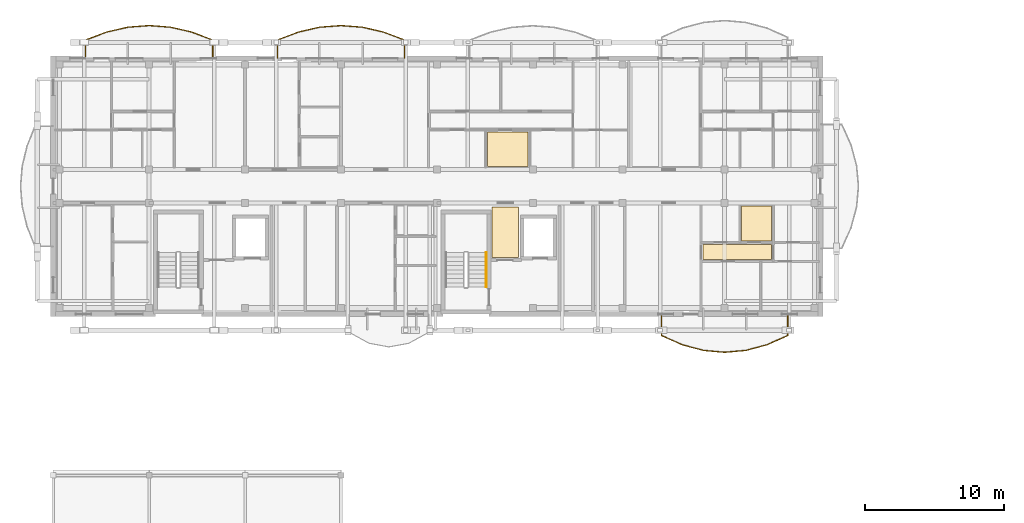
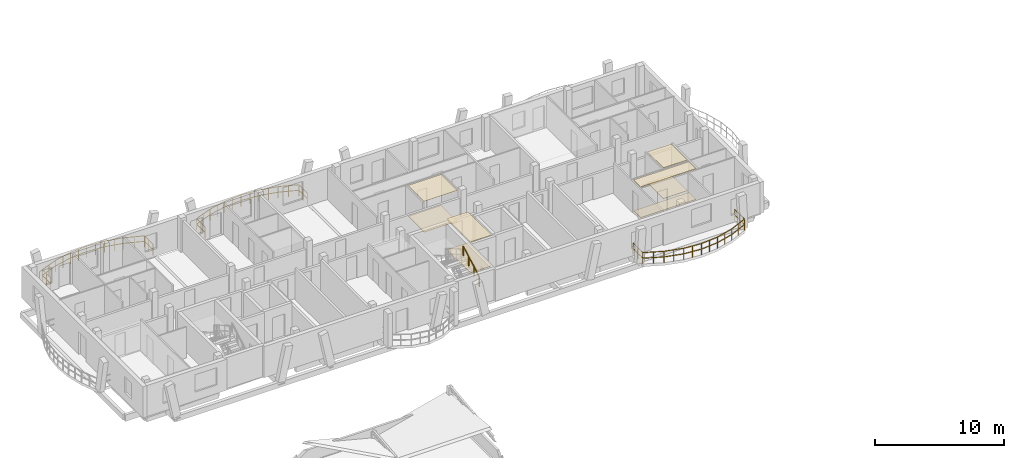
# One storey, part 44 of 50: 8 coverings, 4 railings.
"""IFC4 building model written with IfcOpenShell, lengths in metres."""

from ifc_helpers import new_model, si_unit, direction, frame, origin, origin_2d, place, context, subcontext, project, spatial, polyline, rectangle, outline, extrude, material, layer, layer_set, type_object, element, save


model = new_model("IFC4")

# Units and contexts
model_context = context("Model", 3, precision=1e-05, world=origin(), true_north=direction((0.0, 1.0)))
body_context = subcontext(model_context, "Body", "Model", "MODEL_VIEW")
ifc_project = project(units=[si_unit("LENGTHUNIT", "METRE"), si_unit("AREAUNIT", "SQUARE_METRE"), si_unit("VOLUMEUNIT", "CUBIC_METRE"), si_unit("PLANEANGLEUNIT", "RADIAN"), si_unit("MASSUNIT", "GRAM", prefix="KILO")], contexts=[model_context])

# Site, building, storey
site_placement = place(None, origin())
site = spatial("IfcSite", under=ifc_project, at=site_placement, CompositionType="ELEMENT")
building_placement = place(site_placement, origin())
building = spatial("IfcBuilding", under=site, at=building_placement, Name="Zavelmont Quarter", CompositionType="ELEMENT")
storey_placement = place(building_placement, frame((0.0, 0.0, 11.199951171875)))
storey = spatial("IfcBuildingStorey", under=building, at=storey_placement, Name="L03", CompositionType="ELEMENT", Elevation=11.199951171875)

# Coverings
ifc_material_1 = material(Name="Perforated acoustic gypsum board")
ifc_layer_1 = layer(ifc_material_1, 0.02490234375)
ifc_layer_set_1 = layer_set([ifc_layer_1], Name="Perforated acoustic gypsum board")
covering_type_1 = type_object("IfcCoveringType", Name="CV-CL01", PredefinedType="CEILING", material=ifc_layer_set_1)
covering_1_placement = place(storey_placement, frame((0.0, 0.0, 2.9150390625)))
element("IfcCovering", 1, at=covering_1_placement, inside=storey, type_object=covering_type_1, Name="L03 Lobby Vestibule acoustic ceiling", PredefinedType="CEILING", context=body_context, shape_type="SweptSolid", body=[
    extrude(outline(polyline([(31.580078125, 105.320068359375), (33.469970703125, 105.320068359375), (33.469970703125, 101.679931640625), (31.580078125, 101.679931640625), (31.580078125, 105.320068359375)])), origin(), (0.0, 0.0, 1.0), 0.02490234375),
])
ifc_material_2 = material(Name="Slatted European ash acoustic baffle ceiling")
ifc_layer_2 = layer(ifc_material_2, 0.0400390625)
ifc_layer_set_2 = layer_set([ifc_layer_2], Name="Slatted European ash acoustic baffle ceiling")
covering_type_2 = type_object("IfcCoveringType", Name="CV-CL02", PredefinedType="CEILING", material=ifc_layer_set_2)
covering_2_placement = place(storey_placement, frame((0.0, 0.0, 2.900146484375)))
element("IfcCovering", 2, at=covering_2_placement, inside=storey, type_object=covering_type_2, Name="L03 Apartment Hall acoustic ceiling", PredefinedType="CEILING", context=body_context, shape_type="SweptSolid", body=[
    extrude(outline(polyline([(46.72998046875, 102.6201171875), (51.669921875, 102.6201171875), (51.669921875, 101.530029296875), (46.72998046875, 101.530029296875), (46.72998046875, 102.6201171875)])), origin(), (0.0, 0.0, 1.0), 0.039794921875),
])
ifc_material_3 = material(Name="Moisture-resistant painted gypsum ceiling")
ifc_layer_3 = layer(ifc_material_3, 0.02001953125)
ifc_layer_set_3 = layer_set([ifc_layer_3], Name="Moisture-resistant painted gypsum ceiling")
covering_type_3 = type_object("IfcCoveringType", Name="CV-CL04", PredefinedType="CEILING", material=ifc_layer_set_3)
covering_3_placement = place(storey_placement, frame((0.0, 0.0, 2.920166015625)))
element("IfcCovering", 3, at=covering_3_placement, inside=storey, type_object=covering_type_3, Name="L03 Bathroom acoustic ceiling", PredefinedType="CEILING", context=body_context, shape_type="SweptSolid", body=[
    extrude(outline(polyline([(31.22998046875, 110.719970703125), (34.169921875, 110.719970703125), (34.169921875, 108.22998046875), (31.22998046875, 108.22998046875), (31.22998046875, 110.719970703125)])), origin(), (0.0, 0.0, 1.0), 0.019775390625),
])
covering_4_placement = place(storey_placement, frame((0.0, 0.0, 2.920166015625)))
element("IfcCovering", 4, at=covering_4_placement, inside=storey, type_object=covering_type_3, Name="L03 Bathroom acoustic ceiling", PredefinedType="CEILING", context=body_context, shape_type="SweptSolid", body=[
    extrude(outline(polyline([(49.530029296875, 105.3701171875), (51.669921875, 105.3701171875), (51.669921875, 102.8798828125), (49.530029296875, 102.8798828125), (49.530029296875, 105.3701171875)])), origin(), (0.0, 0.0, 1.0), 0.019775390625),
])
ifc_material_4 = material(Name="Engineered European oak parquet")
ifc_layer_4 = layer(ifc_material_4, 0.02197265625)
ifc_layer_set_4 = layer_set([ifc_layer_4], Name="Engineered European oak parquet")
covering_type_4 = type_object("IfcCoveringType", Name="CV-FL01", PredefinedType="FLOORING", material=ifc_layer_set_4)
covering_5_placement = place(storey_placement, origin())
element("IfcCovering", 5, at=covering_5_placement, inside=storey, type_object=covering_type_4, Name="L03 Lobby Vestibule floor finish", PredefinedType="FLOORING", context=body_context, shape_type="SweptSolid", body=[
    extrude(outline(polyline([(31.580078125, 105.320068359375), (33.469970703125, 105.320068359375), (33.469970703125, 101.679931640625), (31.580078125, 101.679931640625), (31.580078125, 105.320068359375)])), origin(), (0.0, 0.0, 1.0), 0.02197265625),
])
ifc_material_5 = material(Name="Honed Belgian bluestone tile", Category="masonry")
ifc_layer_5 = layer(ifc_material_5, 0.030029296875)
ifc_layer_set_5 = layer_set([ifc_layer_5], Name="Honed Belgian bluestone tile")
covering_type_5 = type_object("IfcCoveringType", Name="CV-FL02", PredefinedType="FLOORING", material=ifc_layer_set_5)
covering_6_placement = place(storey_placement, origin())
element("IfcCovering", 6, at=covering_6_placement, inside=storey, type_object=covering_type_5, Name="L03 Apartment Hall floor finish", PredefinedType="FLOORING", context=body_context, shape_type="SweptSolid", body=[
    extrude(outline(polyline([(46.72998046875, 102.6201171875), (51.669921875, 102.6201171875), (51.669921875, 101.530029296875), (46.72998046875, 101.530029296875), (46.72998046875, 102.6201171875)])), origin(), (0.0, 0.0, 1.0), 0.030029296875),
])
ifc_material_6 = material(Name="Slip-resistant porcelain tile")
ifc_layer_6 = layer(ifc_material_6, 0.02587890625)
ifc_layer_set_6 = layer_set([ifc_layer_6], Name="Slip-resistant porcelain tile")
covering_type_6 = type_object("IfcCoveringType", Name="CV-FL04", PredefinedType="FLOORING", material=ifc_layer_set_6)
covering_7_placement = place(storey_placement, origin())
element("IfcCovering", 7, at=covering_7_placement, inside=storey, type_object=covering_type_6, Name="L03 Bathroom floor finish", PredefinedType="FLOORING", context=body_context, shape_type="SweptSolid", body=[
    extrude(outline(polyline([(31.22998046875, 110.719970703125), (34.169921875, 110.719970703125), (34.169921875, 108.22998046875), (31.22998046875, 108.22998046875), (31.22998046875, 110.719970703125)])), origin(), (0.0, 0.0, 1.0), 0.026123046875),
])
covering_8_placement = place(storey_placement, origin())
element("IfcCovering", 8, at=covering_8_placement, inside=storey, type_object=covering_type_6, Name="L03 Bathroom floor finish", PredefinedType="FLOORING", context=body_context, shape_type="SweptSolid", body=[
    extrude(outline(polyline([(49.530029296875, 105.3701171875), (51.669921875, 105.3701171875), (51.669921875, 102.8798828125), (49.530029296875, 102.8798828125), (49.530029296875, 105.3701171875)])), origin(), (0.0, 0.0, 1.0), 0.026123046875),
])

# Railings
ifc_material_7 = material(Name="Powder-coated steel and tempered double safety glass", Category="steel")
railing_type_1 = type_object("IfcRailingType", Name="RL-BAL1", PredefinedType="BALUSTRADE", material=ifc_material_7)
railing_1_placement = place(storey_placement, frame((11.47265625, 116.02001953125, 0.0)))
element("IfcRailing", 9, at=railing_1_placement, inside=storey, type_object=railing_type_1, Name="L03 Block B curved balcony guard RL-BAL1", PredefinedType="BALUSTRADE", context=body_context, shape_type="SweptSolid", body=[
    extrude(rectangle(XDim=0.048095703125, YDim=0.048095703125, at=origin_2d()), frame((0.0, 0.0, 1.076171875), z_axis=(0.0, 1.0, 0.0), x_axis=(-1.0, 0.0, 0.0)), (0.0, 0.0, 1.0), 1.30615234375),
    extrude(rectangle(XDim=0.048095703125, YDim=0.048095703125, at=origin_2d()), frame((0.0, 0.0, 0.550048828125), z_axis=(0.0, 1.0, 0.0), x_axis=(-1.0, 0.0, 0.0)), (0.0, 0.0, 1.0), 1.30615234375),
    extrude(rectangle(XDim=0.048095703125, YDim=0.048095703125, at=origin_2d()), frame((0.0, 1.30615234375, 1.076171875), z_axis=(-0.934899887668, 0.354911538327, 0.0), x_axis=(-0.354911538327, -0.934899887668, 0.0)), (0.0, 0.0, 1.0), 1.63037109375),
    extrude(rectangle(XDim=0.048095703125, YDim=0.048095703125, at=origin_2d()), frame((0.0, 1.30615234375, 0.550048828125), z_axis=(-0.934899887668, 0.354911538327, 0.0), x_axis=(-0.354911538327, -0.934899887668, 0.0)), (0.0, 0.0, 1.0), 1.63037109375),
    extrude(rectangle(XDim=0.048095703125, YDim=0.048095703125, at=origin_2d()), frame((-1.524169921875, 1.884765625, 1.076171875), z_axis=(-0.974993057054, 0.222235322792, 0.0), x_axis=(-0.222235322792, -0.974993057054, 0.0)), (0.0, 0.0, 1.0), 1.563232421875),
    extrude(rectangle(XDim=0.048095703125, YDim=0.048095703125, at=origin_2d()), frame((-1.524169921875, 1.884765625, 0.550048828125), z_axis=(-0.974993057054, 0.222235322792, 0.0), x_axis=(-0.222235322792, -0.974993057054, 0.0)), (0.0, 0.0, 1.0), 1.563232421875),
    extrude(rectangle(XDim=0.048095703125, YDim=0.048095703125, at=origin_2d()), frame((-3.04833984375, 2.232177734375, 1.076171875), z_axis=(-0.997131011642, 0.075695083203, 0.0), x_axis=(-0.075695083203, -0.997131011642, 0.0)), (0.0, 0.0, 1.0), 1.52880859375),
    extrude(rectangle(XDim=0.048095703125, YDim=0.048095703125, at=origin_2d()), frame((-3.04833984375, 2.232177734375, 0.550048828125), z_axis=(-0.997131011642, 0.075695083203, 0.0), x_axis=(-0.075695083203, -0.997131011642, 0.0)), (0.0, 0.0, 1.0), 1.52880859375),
    extrude(rectangle(XDim=0.048095703125, YDim=0.048095703125, at=origin_2d()), frame((-4.57275390625, 2.347900390625, 1.076171875), z_axis=(-0.997130096416, -0.075707138507, 0.0), x_axis=(0.075707138507, -0.997130096416, 0.0)), (0.0, 0.0, 1.0), 1.528564453125),
    extrude(rectangle(XDim=0.048095703125, YDim=0.048095703125, at=origin_2d()), frame((-4.57275390625, 2.347900390625, 0.550048828125), z_axis=(-0.997130096416, -0.075707138507, 0.0), x_axis=(0.075707138507, -0.997130096416, 0.0)), (0.0, 0.0, 1.0), 1.528564453125),
    extrude(rectangle(XDim=0.048095703125, YDim=0.048095703125, at=origin_2d()), frame((-6.096923828125, 2.232177734375, 1.076171875), z_axis=(-0.974993057054, -0.222235322792, 0.0), x_axis=(0.222235322792, -0.974993057054, 0.0)), (0.0, 0.0, 1.0), 1.563232421875),
    extrude(rectangle(XDim=0.048095703125, YDim=0.048095703125, at=origin_2d()), frame((-6.096923828125, 2.232177734375, 0.550048828125), z_axis=(-0.974993057054, -0.222235322792, 0.0), x_axis=(0.222235322792, -0.974993057054, 0.0)), (0.0, 0.0, 1.0), 1.563232421875),
    extrude(rectangle(XDim=0.048095703125, YDim=0.048095703125, at=origin_2d()), frame((-7.62109375, 1.884765625, 1.076171875), z_axis=(-0.934899887668, -0.354911538327, 0.0), x_axis=(0.354911538327, -0.934899887668, 0.0)), (0.0, 0.0, 1.0), 1.63037109375),
    extrude(rectangle(XDim=0.048095703125, YDim=0.048095703125, at=origin_2d()), frame((-7.62109375, 1.884765625, 0.550048828125), z_axis=(-0.934899887668, -0.354911538327, 0.0), x_axis=(0.354911538327, -0.934899887668, 0.0)), (0.0, 0.0, 1.0), 1.63037109375),
    extrude(rectangle(XDim=0.048095703125, YDim=0.048095703125, at=origin_2d()), frame((-9.145263671875, 1.30615234375, 1.076171875), z_axis=(0.0, -1.0, 0.0), x_axis=(1.0, 0.0, 0.0)), (0.0, 0.0, 1.0), 1.30615234375),
    extrude(rectangle(XDim=0.048095703125, YDim=0.048095703125, at=origin_2d()), frame((-9.145263671875, 1.30615234375, 0.550048828125), z_axis=(0.0, -1.0, 0.0), x_axis=(1.0, 0.0, 0.0)), (0.0, 0.0, 1.0), 1.30615234375),
    extrude(rectangle(XDim=0.0419921875, YDim=0.0419921875, at=origin_2d()), origin(), (0.0, 0.0, 1.0), 1.052001953125),
    extrude(rectangle(XDim=0.0419921875, YDim=0.0419921875, at=origin_2d()), frame((0.0, 0.653076171875, 0.0)), (0.0, 0.0, 1.0), 1.052001953125),
    extrude(rectangle(XDim=0.0419921875, YDim=0.0419921875, at=origin_2d()), frame((0.0, 1.30615234375, 0.0)), (0.0, 0.0, 1.0), 1.052001953125),
    extrude(rectangle(XDim=0.0419921875, YDim=0.0419921875, at=origin_2d()), frame((-0.76220703125, 1.595458984375, 0.0)), (0.0, 0.0, 1.0), 1.052001953125),
    extrude(rectangle(XDim=0.0419921875, YDim=0.0419921875, at=origin_2d()), frame((-1.524169921875, 1.884765625, 0.0)), (0.0, 0.0, 1.0), 1.052001953125),
    extrude(rectangle(XDim=0.0419921875, YDim=0.0419921875, at=origin_2d()), frame((-2.2861328125, 2.05859375, 0.0)), (0.0, 0.0, 1.0), 1.052001953125),
    extrude(rectangle(XDim=0.0419921875, YDim=0.0419921875, at=origin_2d()), frame((-3.04833984375, 2.232177734375, 0.0)), (0.0, 0.0, 1.0), 1.052001953125),
    extrude(rectangle(XDim=0.0419921875, YDim=0.0419921875, at=origin_2d()), frame((-3.810546875, 2.2900390625, 0.0)), (0.0, 0.0, 1.0), 1.052001953125),
    extrude(rectangle(XDim=0.0419921875, YDim=0.0419921875, at=origin_2d()), frame((-4.57275390625, 2.347900390625, 0.0)), (0.0, 0.0, 1.0), 1.052001953125),
    extrude(rectangle(XDim=0.0419921875, YDim=0.0419921875, at=origin_2d()), frame((-5.3349609375, 2.2900390625, 0.0)), (0.0, 0.0, 1.0), 1.052001953125),
    extrude(rectangle(XDim=0.0419921875, YDim=0.0419921875, at=origin_2d()), frame((-6.096923828125, 2.232177734375, 0.0)), (0.0, 0.0, 1.0), 1.052001953125),
    extrude(rectangle(XDim=0.0419921875, YDim=0.0419921875, at=origin_2d()), frame((-6.85888671875, 2.05859375, 0.0)), (0.0, 0.0, 1.0), 1.052001953125),
    extrude(rectangle(XDim=0.0419921875, YDim=0.0419921875, at=origin_2d()), frame((-7.62109375, 1.884765625, 0.0)), (0.0, 0.0, 1.0), 1.052001953125),
    extrude(rectangle(XDim=0.0419921875, YDim=0.0419921875, at=origin_2d()), frame((-8.38330078125, 1.595458984375, 0.0)), (0.0, 0.0, 1.0), 1.052001953125),
    extrude(rectangle(XDim=0.0419921875, YDim=0.0419921875, at=origin_2d()), frame((-9.145263671875, 1.30615234375, 0.0)), (0.0, 0.0, 1.0), 1.052001953125),
    extrude(rectangle(XDim=0.0419921875, YDim=0.0419921875, at=origin_2d()), frame((-9.145263671875, 0.653076171875, 0.0)), (0.0, 0.0, 1.0), 1.052001953125),
    extrude(rectangle(XDim=0.0419921875, YDim=0.0419921875, at=origin_2d()), frame((-9.145263671875, 0.0, 0.0)), (0.0, 0.0, 1.0), 1.052001953125),
])
railing_2_placement = place(storey_placement, frame((25.272705078125, 116.02001953125, 0.0)))
element("IfcRailing", 10, at=railing_2_placement, inside=storey, type_object=railing_type_1, Name="L03 Block B curved balcony guard RL-BAL1", PredefinedType="BALUSTRADE", context=body_context, shape_type="SweptSolid", body=[
    extrude(rectangle(XDim=0.048095703125, YDim=0.048095703125, at=origin_2d()), frame((0.0, 0.0, 1.076171875), z_axis=(0.0, 1.0, 0.0), x_axis=(-1.0, 0.0, 0.0)), (0.0, 0.0, 1.0), 1.30615234375),
    extrude(rectangle(XDim=0.048095703125, YDim=0.048095703125, at=origin_2d()), frame((0.0, 0.0, 0.550048828125), z_axis=(0.0, 1.0, 0.0), x_axis=(-1.0, 0.0, 0.0)), (0.0, 0.0, 1.0), 1.30615234375),
    extrude(rectangle(XDim=0.048095703125, YDim=0.048095703125, at=origin_2d()), frame((0.0, 1.30615234375, 1.076171875), z_axis=(-0.934899887668, 0.354911538327, 0.0), x_axis=(-0.354911538327, -0.934899887668, 0.0)), (0.0, 0.0, 1.0), 1.63037109375),
    extrude(rectangle(XDim=0.048095703125, YDim=0.048095703125, at=origin_2d()), frame((0.0, 1.30615234375, 0.550048828125), z_axis=(-0.934899887668, 0.354911538327, 0.0), x_axis=(-0.354911538327, -0.934899887668, 0.0)), (0.0, 0.0, 1.0), 1.63037109375),
    extrude(rectangle(XDim=0.048095703125, YDim=0.048095703125, at=origin_2d()), frame((-1.524169921875, 1.884765625, 1.076171875), z_axis=(-0.975000768489, 0.222201488398, 0.0), x_axis=(-0.222201488398, -0.975000768489, 0.0)), (0.0, 0.0, 1.0), 1.5634765625),
    extrude(rectangle(XDim=0.048095703125, YDim=0.048095703125, at=origin_2d()), frame((-1.524169921875, 1.884765625, 0.550048828125), z_axis=(-0.975000768489, 0.222201488398, 0.0), x_axis=(-0.222201488398, -0.975000768489, 0.0)), (0.0, 0.0, 1.0), 1.5634765625),
    extrude(rectangle(XDim=0.048095703125, YDim=0.048095703125, at=origin_2d()), frame((-3.048583984375, 2.232177734375, 1.076171875), z_axis=(-0.997130096416, 0.075707138507, 0.0), x_axis=(-0.075707138507, -0.997130096416, 0.0)), (0.0, 0.0, 1.0), 1.528564453125),
    extrude(rectangle(XDim=0.048095703125, YDim=0.048095703125, at=origin_2d()), frame((-3.048583984375, 2.232177734375, 0.550048828125), z_axis=(-0.997130096416, 0.075707138507, 0.0), x_axis=(-0.075707138507, -0.997130096416, 0.0)), (0.0, 0.0, 1.0), 1.528564453125),
    extrude(rectangle(XDim=0.048095703125, YDim=0.048095703125, at=origin_2d()), frame((-4.57275390625, 2.347900390625, 1.076171875), z_axis=(-0.997130096416, -0.075707138507, 0.0), x_axis=(0.075707138507, -0.997130096416, 0.0)), (0.0, 0.0, 1.0), 1.528564453125),
    extrude(rectangle(XDim=0.048095703125, YDim=0.048095703125, at=origin_2d()), frame((-4.57275390625, 2.347900390625, 0.550048828125), z_axis=(-0.997130096416, -0.075707138507, 0.0), x_axis=(0.075707138507, -0.997130096416, 0.0)), (0.0, 0.0, 1.0), 1.528564453125),
    extrude(rectangle(XDim=0.048095703125, YDim=0.048095703125, at=origin_2d()), frame((-6.096923828125, 2.232177734375, 1.076171875), z_axis=(-0.974993057054, -0.222235322792, 0.0), x_axis=(0.222235322792, -0.974993057054, 0.0)), (0.0, 0.0, 1.0), 1.563232421875),
    extrude(rectangle(XDim=0.048095703125, YDim=0.048095703125, at=origin_2d()), frame((-6.096923828125, 2.232177734375, 0.550048828125), z_axis=(-0.974993057054, -0.222235322792, 0.0), x_axis=(0.222235322792, -0.974993057054, 0.0)), (0.0, 0.0, 1.0), 1.563232421875),
    extrude(rectangle(XDim=0.048095703125, YDim=0.048095703125, at=origin_2d()), frame((-7.62109375, 1.884765625, 1.076171875), z_axis=(-0.934918746762, -0.354861856154, 0.0), x_axis=(0.354861856154, -0.934918746762, 0.0)), (0.0, 0.0, 1.0), 1.630615234375),
    extrude(rectangle(XDim=0.048095703125, YDim=0.048095703125, at=origin_2d()), frame((-7.62109375, 1.884765625, 0.550048828125), z_axis=(-0.934918746762, -0.354861856154, 0.0), x_axis=(0.354861856154, -0.934918746762, 0.0)), (0.0, 0.0, 1.0), 1.630615234375),
    extrude(rectangle(XDim=0.048095703125, YDim=0.048095703125, at=origin_2d()), frame((-9.1455078125, 1.30615234375, 1.076171875), z_axis=(0.0, -1.0, 0.0), x_axis=(1.0, 0.0, 0.0)), (0.0, 0.0, 1.0), 1.30615234375),
    extrude(rectangle(XDim=0.048095703125, YDim=0.048095703125, at=origin_2d()), frame((-9.1455078125, 1.30615234375, 0.550048828125), z_axis=(0.0, -1.0, 0.0), x_axis=(1.0, 0.0, 0.0)), (0.0, 0.0, 1.0), 1.30615234375),
    extrude(rectangle(XDim=0.0419921875, YDim=0.0419921875, at=origin_2d()), origin(), (0.0, 0.0, 1.0), 1.052001953125),
    extrude(rectangle(XDim=0.0419921875, YDim=0.0419921875, at=origin_2d()), frame((0.0, 0.653076171875, 0.0)), (0.0, 0.0, 1.0), 1.052001953125),
    extrude(rectangle(XDim=0.0419921875, YDim=0.0419921875, at=origin_2d()), frame((0.0, 1.30615234375, 0.0)), (0.0, 0.0, 1.0), 1.052001953125),
    extrude(rectangle(XDim=0.0419921875, YDim=0.0419921875, at=origin_2d()), frame((-0.76220703125, 1.595458984375, 0.0)), (0.0, 0.0, 1.0), 1.052001953125),
    extrude(rectangle(XDim=0.0419921875, YDim=0.0419921875, at=origin_2d()), frame((-1.524169921875, 1.884765625, 0.0)), (0.0, 0.0, 1.0), 1.052001953125),
    extrude(rectangle(XDim=0.0419921875, YDim=0.0419921875, at=origin_2d()), frame((-2.286376953125, 2.05859375, 0.0)), (0.0, 0.0, 1.0), 1.052001953125),
    extrude(rectangle(XDim=0.0419921875, YDim=0.0419921875, at=origin_2d()), frame((-3.048583984375, 2.232177734375, 0.0)), (0.0, 0.0, 1.0), 1.052001953125),
    extrude(rectangle(XDim=0.0419921875, YDim=0.0419921875, at=origin_2d()), frame((-3.810546875, 2.2900390625, 0.0)), (0.0, 0.0, 1.0), 1.052001953125),
    extrude(rectangle(XDim=0.0419921875, YDim=0.0419921875, at=origin_2d()), frame((-4.57275390625, 2.347900390625, 0.0)), (0.0, 0.0, 1.0), 1.052001953125),
    extrude(rectangle(XDim=0.0419921875, YDim=0.0419921875, at=origin_2d()), frame((-5.3349609375, 2.2900390625, 0.0)), (0.0, 0.0, 1.0), 1.052001953125),
    extrude(rectangle(XDim=0.0419921875, YDim=0.0419921875, at=origin_2d()), frame((-6.096923828125, 2.232177734375, 0.0)), (0.0, 0.0, 1.0), 1.052001953125),
    extrude(rectangle(XDim=0.0419921875, YDim=0.0419921875, at=origin_2d()), frame((-6.85888671875, 2.05859375, 0.0)), (0.0, 0.0, 1.0), 1.052001953125),
    extrude(rectangle(XDim=0.0419921875, YDim=0.0419921875, at=origin_2d()), frame((-7.62109375, 1.884765625, 0.0)), (0.0, 0.0, 1.0), 1.052001953125),
    extrude(rectangle(XDim=0.0419921875, YDim=0.0419921875, at=origin_2d()), frame((-8.38330078125, 1.595458984375, 0.0)), (0.0, 0.0, 1.0), 1.052001953125),
    extrude(rectangle(XDim=0.0419921875, YDim=0.0419921875, at=origin_2d()), frame((-9.1455078125, 1.30615234375, 0.0)), (0.0, 0.0, 1.0), 1.052001953125),
    extrude(rectangle(XDim=0.0419921875, YDim=0.0419921875, at=origin_2d()), frame((-9.1455078125, 0.653076171875, 0.0)), (0.0, 0.0, 1.0), 1.052001953125),
    extrude(rectangle(XDim=0.0419921875, YDim=0.0419921875, at=origin_2d()), frame((-9.1455078125, 0.0, 0.0)), (0.0, 0.0, 1.0), 1.052001953125),
])
railing_3_placement = place(storey_placement, frame((43.757080078125, 97.580078125, 0.0)))
element("IfcRailing", 11, at=railing_3_placement, inside=storey, type_object=railing_type_1, Name="L03 Block B curved balcony guard RL-BAL1", PredefinedType="BALUSTRADE", context=body_context, shape_type="SweptSolid", body=[
    extrude(rectangle(XDim=0.048095703125, YDim=0.048095703125, at=origin_2d()), frame((0.0, 0.0, 1.076171875), z_axis=(0.0, -1.0, 0.0), x_axis=(1.0, 0.0, 0.0)), (0.0, 0.0, 1.0), 1.515625),
    extrude(rectangle(XDim=0.048095703125, YDim=0.048095703125, at=origin_2d()), frame((0.0, 0.0, 0.550048828125), z_axis=(0.0, -1.0, 0.0), x_axis=(1.0, 0.0, 0.0)), (0.0, 0.0, 1.0), 1.515625),
    extrude(rectangle(XDim=0.048095703125, YDim=0.048095703125, at=origin_2d()), frame((0.0, -1.515625, 1.076171875), z_axis=(0.914436711734, -0.404728921914, 0.0), x_axis=(0.404728921914, 0.914436711734, 0.0)), (0.0, 0.0, 1.0), 1.65576171875),
    extrude(rectangle(XDim=0.048095703125, YDim=0.048095703125, at=origin_2d()), frame((0.0, -1.515625, 0.550048828125), z_axis=(0.914436711734, -0.404728921914, 0.0), x_axis=(0.404728921914, 0.914436711734, 0.0)), (0.0, 0.0, 1.0), 1.65576171875),
    extrude(rectangle(XDim=0.048095703125, YDim=0.048095703125, at=origin_2d()), frame((1.51416015625, -2.185791015625, 1.076171875), z_axis=(0.966511096817, -0.256624822901, 0.0), x_axis=(0.256624822901, 0.966511096817, 0.0)), (0.0, 0.0, 1.0), 1.56689453125),
    extrude(rectangle(XDim=0.048095703125, YDim=0.048095703125, at=origin_2d()), frame((1.51416015625, -2.185791015625, 0.550048828125), z_axis=(0.966511096817, -0.256624822901, 0.0), x_axis=(0.256624822901, 0.966511096817, 0.0)), (0.0, 0.0, 1.0), 1.56689453125),
    extrude(rectangle(XDim=0.048095703125, YDim=0.048095703125, at=origin_2d()), frame((3.028564453125, -2.587890625, 1.076171875), z_axis=(0.996092128712, -0.088320275801, 0.0), x_axis=(0.088320275801, 0.996092128712, 0.0)), (0.0, 0.0, 1.0), 1.520263671875),
    extrude(rectangle(XDim=0.048095703125, YDim=0.048095703125, at=origin_2d()), frame((3.028564453125, -2.587890625, 0.550048828125), z_axis=(0.996092128712, -0.088320275801, 0.0), x_axis=(0.088320275801, 0.996092128712, 0.0)), (0.0, 0.0, 1.0), 1.520263671875),
    extrude(rectangle(XDim=0.048095703125, YDim=0.048095703125, at=origin_2d()), frame((4.54296875, -2.72216796875, 1.076171875), z_axis=(0.996090875794, 0.088334405303, 0.0), x_axis=(-0.088334405303, 0.996090875794, 0.0)), (0.0, 0.0, 1.0), 1.52001953125),
    extrude(rectangle(XDim=0.048095703125, YDim=0.048095703125, at=origin_2d()), frame((4.54296875, -2.72216796875, 0.550048828125), z_axis=(0.996090875794, 0.088334405303, 0.0), x_axis=(-0.088334405303, 0.996090875794, 0.0)), (0.0, 0.0, 1.0), 1.52001953125),
    extrude(rectangle(XDim=0.048095703125, YDim=0.048095703125, at=origin_2d()), frame((6.05712890625, -2.587890625, 1.076171875), z_axis=(0.966511096817, 0.256624822901, 0.0), x_axis=(-0.256624822901, 0.966511096817, 0.0)), (0.0, 0.0, 1.0), 1.56689453125),
    extrude(rectangle(XDim=0.048095703125, YDim=0.048095703125, at=origin_2d()), frame((6.05712890625, -2.587890625, 0.550048828125), z_axis=(0.966511096817, 0.256624822901, 0.0), x_axis=(-0.256624822901, 0.966511096817, 0.0)), (0.0, 0.0, 1.0), 1.56689453125),
    extrude(rectangle(XDim=0.048095703125, YDim=0.048095703125, at=origin_2d()), frame((7.571533203125, -2.185791015625, 1.076171875), z_axis=(0.914460858698, 0.40467436033, 0.0), x_axis=(-0.40467436033, 0.914460858698, 0.0)), (0.0, 0.0, 1.0), 1.656005859375),
    extrude(rectangle(XDim=0.048095703125, YDim=0.048095703125, at=origin_2d()), frame((7.571533203125, -2.185791015625, 0.550048828125), z_axis=(0.914460858698, 0.40467436033, 0.0), x_axis=(-0.40467436033, 0.914460858698, 0.0)), (0.0, 0.0, 1.0), 1.656005859375),
    extrude(rectangle(XDim=0.048095703125, YDim=0.048095703125, at=origin_2d()), frame((9.0859375, -1.515625, 1.076171875), z_axis=(0.0, 1.0, 0.0), x_axis=(-1.0, 0.0, 0.0)), (0.0, 0.0, 1.0), 1.515625),
    extrude(rectangle(XDim=0.048095703125, YDim=0.048095703125, at=origin_2d()), frame((9.0859375, -1.515625, 0.550048828125), z_axis=(0.0, 1.0, 0.0), x_axis=(-1.0, 0.0, 0.0)), (0.0, 0.0, 1.0), 1.515625),
    extrude(rectangle(XDim=0.0419921875, YDim=0.0419921875, at=origin_2d()), origin(), (0.0, 0.0, 1.0), 1.052001953125),
    extrude(rectangle(XDim=0.0419921875, YDim=0.0419921875, at=origin_2d()), frame((0.0, -0.7578125, 0.0)), (0.0, 0.0, 1.0), 1.052001953125),
    extrude(rectangle(XDim=0.0419921875, YDim=0.0419921875, at=origin_2d()), frame((0.0, -1.515625, 0.0)), (0.0, 0.0, 1.0), 1.052001953125),
    extrude(rectangle(XDim=0.0419921875, YDim=0.0419921875, at=origin_2d()), frame((0.757080078125, -1.8505859375, 0.0)), (0.0, 0.0, 1.0), 1.052001953125),
    extrude(rectangle(XDim=0.0419921875, YDim=0.0419921875, at=origin_2d()), frame((1.51416015625, -2.185791015625, 0.0)), (0.0, 0.0, 1.0), 1.052001953125),
    extrude(rectangle(XDim=0.0419921875, YDim=0.0419921875, at=origin_2d()), frame((2.271484375, -2.38671875, 0.0)), (0.0, 0.0, 1.0), 1.052001953125),
    extrude(rectangle(XDim=0.0419921875, YDim=0.0419921875, at=origin_2d()), frame((3.028564453125, -2.587890625, 0.0)), (0.0, 0.0, 1.0), 1.052001953125),
    extrude(rectangle(XDim=0.0419921875, YDim=0.0419921875, at=origin_2d()), frame((3.78564453125, -2.655029296875, 0.0)), (0.0, 0.0, 1.0), 1.052001953125),
    extrude(rectangle(XDim=0.0419921875, YDim=0.0419921875, at=origin_2d()), frame((4.54296875, -2.72216796875, 0.0)), (0.0, 0.0, 1.0), 1.052001953125),
    extrude(rectangle(XDim=0.0419921875, YDim=0.0419921875, at=origin_2d()), frame((5.300048828125, -2.655029296875, 0.0)), (0.0, 0.0, 1.0), 1.052001953125),
    extrude(rectangle(XDim=0.0419921875, YDim=0.0419921875, at=origin_2d()), frame((6.05712890625, -2.587890625, 0.0)), (0.0, 0.0, 1.0), 1.052001953125),
    extrude(rectangle(XDim=0.0419921875, YDim=0.0419921875, at=origin_2d()), frame((6.814453125, -2.38671875, 0.0)), (0.0, 0.0, 1.0), 1.052001953125),
    extrude(rectangle(XDim=0.0419921875, YDim=0.0419921875, at=origin_2d()), frame((7.571533203125, -2.185791015625, 0.0)), (0.0, 0.0, 1.0), 1.052001953125),
    extrude(rectangle(XDim=0.0419921875, YDim=0.0419921875, at=origin_2d()), frame((8.32861328125, -1.8505859375, 0.0)), (0.0, 0.0, 1.0), 1.052001953125),
    extrude(rectangle(XDim=0.0419921875, YDim=0.0419921875, at=origin_2d()), frame((9.0859375, -1.515625, 0.0)), (0.0, 0.0, 1.0), 1.052001953125),
    extrude(rectangle(XDim=0.0419921875, YDim=0.0419921875, at=origin_2d()), frame((9.0859375, -0.7578125, 0.0)), (0.0, 0.0, 1.0), 1.052001953125),
    extrude(rectangle(XDim=0.0419921875, YDim=0.0419921875, at=origin_2d()), frame((9.0859375, 0.0, 0.0)), (0.0, 0.0, 1.0), 1.052001953125),
])
ifc_material_8 = material(Name="Brushed stainless-steel wall handrail", Category="steel")
railing_type_2 = type_object("IfcRailingType", Name="RL-HND1", PredefinedType="HANDRAIL", material=ifc_material_8)
railing_4_placement = place(storey_placement, frame((31.14990234375, 99.550048828125, 0.177734375)))
element("IfcRailing", 12, at=railing_4_placement, inside=storey, type_object=railing_type_2, Name="L03 ST04 stair handrail 1", PredefinedType="HANDRAIL", context=body_context, shape_type="SweptSolid", body=[
    extrude(rectangle(XDim=0.048095703125, YDim=0.048095703125, at=origin_2d()), frame((0.0, 0.0, 0.8759765625), z_axis=(0.0, 0.867453774394, 0.497517787913), x_axis=(-1.0, 0.0, 0.0)), (0.0, 0.0, 1.0), 2.85888671875),
    extrude(rectangle(XDim=0.0419921875, YDim=0.0419921875, at=origin_2d()), origin(), (0.0, 0.0, 1.0), 0.851806640625),
    extrude(rectangle(XDim=0.0419921875, YDim=0.0419921875, at=origin_2d()), frame((0.0, 0.82666015625, 0.47412109375)), (0.0, 0.0, 1.0), 0.851806640625),
    extrude(rectangle(XDim=0.0419921875, YDim=0.0419921875, at=origin_2d()), frame((0.0, 1.6533203125, 0.9482421875)), (0.0, 0.0, 1.0), 0.851806640625),
    extrude(rectangle(XDim=0.0419921875, YDim=0.0419921875, at=origin_2d()), frame((0.0, 2.47998046875, 1.42236328125)), (0.0, 0.0, 1.0), 0.851806640625),
])

save(model, "model.ifc")
